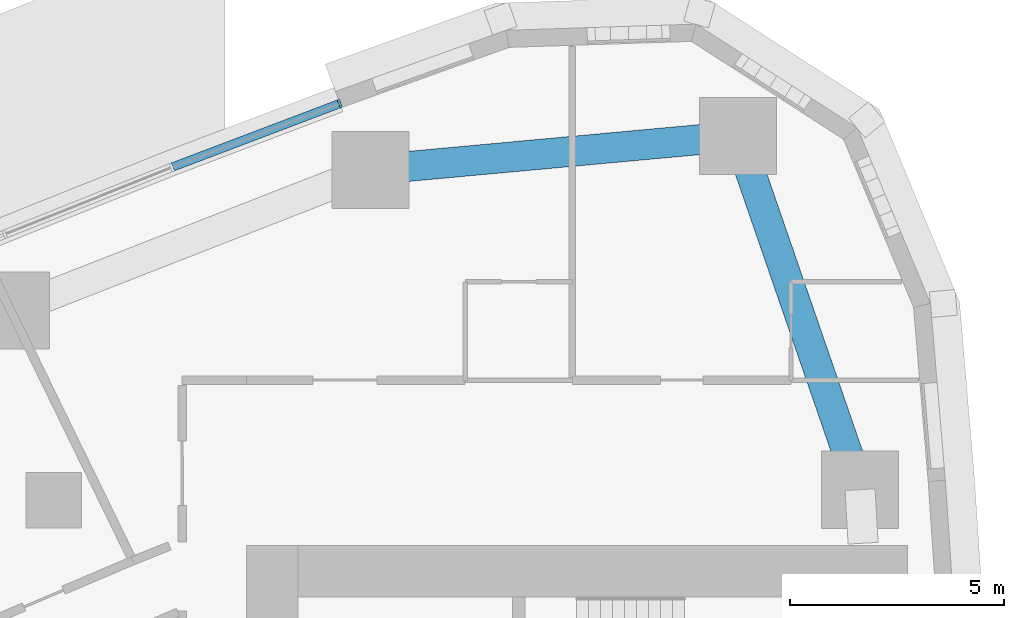
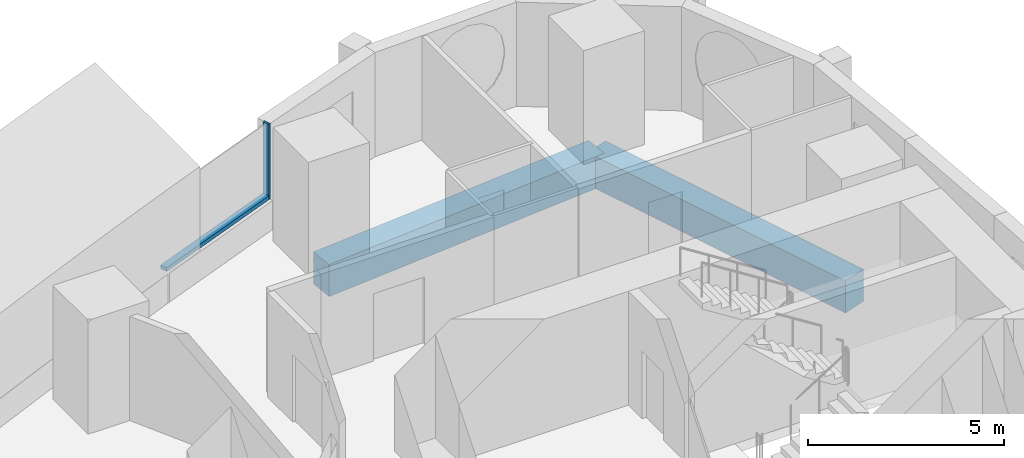
# One storey, part 7 of 19: 2 beams, 2 members, 1 element without a shape of its own.
"""IFC4 building model written with IfcOpenShell, lengths in metres."""

from ifc_helpers import new_model, si_unit, direction, frame, origin, origin_2d, place, context, subcontext, project, spatial, rectangle, extrude, material, layer, layer_set, material_profile, profile_set, type_object, element, aggregate, save


model = new_model("IFC4")

# Units and contexts
model_context = context("Model", 3, precision=1e-05, world=origin(), true_north=direction((0.0, 1.0)))
body_context = subcontext(model_context, "Body", "Model", "MODEL_VIEW")
ifc_project = project(units=[si_unit("LENGTHUNIT", "METRE"), si_unit("AREAUNIT", "SQUARE_METRE"), si_unit("VOLUMEUNIT", "CUBIC_METRE"), si_unit("PLANEANGLEUNIT", "RADIAN"), si_unit("MASSUNIT", "GRAM", prefix="KILO")], contexts=[model_context])

# Site, building, storey
site_placement = place(None, origin())
site = spatial("IfcSite", under=ifc_project, at=site_placement, CompositionType="ELEMENT")
building_placement = place(site_placement, origin())
building = spatial("IfcBuilding", under=site, at=building_placement, Name="Ostrand Prow Hotel Tower", CompositionType="ELEMENT")
storey_placement = place(building_placement, frame((0.0, 0.0, 46.699951171875)))
storey = spatial("IfcBuildingStorey", under=building, at=storey_placement, Name="L09", CompositionType="ELEMENT", Elevation=46.699951171875)

# Beams
ifc_material_1 = material(Name="Concrete C80/95", Category="concrete")
ifc_material_profile_1 = material_profile(ifc_material_1, rectangle(XDim=0.699951171875, YDim=1.0, at=origin_2d()), Name="RC 700x1000")
ifc_profile_set_1 = profile_set([ifc_material_profile_1], Name="Concrete C80/95")
beam_type = type_object("IfcBeamType", Name="Edge beam 700x1000 C80/95", PredefinedType="SPANDREL", material=ifc_profile_set_1)
beam_1_placement = place(storey_placement, frame((63.8134765625, 18.248779296875, -0.800048828125), z_axis=(-0.326263961413, 0.945278703602, 0.0), x_axis=(-0.945278703602, -0.326263961413, 0.0)))
element("IfcBeam", 1, at=beam_1_placement, inside=storey, type_object=beam_type, Name="Edge beam B5-NE", PredefinedType="SPANDREL", context=body_context, shape_type="SweptSolid", body=[
    extrude(rectangle(XDim=0.699951171875, YDim=1.0, at=origin_2d()), origin(), (0.0, 0.0, 1.0), 8.727294921875),
])
beam_2_placement = place(storey_placement, frame((60.966064453125, 26.49853515625, -0.800048828125), z_axis=(-0.995800189514, -0.091553167961, 0.0), x_axis=(0.091553167961, -0.995800189514, 0.0)))
element("IfcBeam", 2, at=beam_2_placement, inside=storey, type_object=beam_type, Name="Edge beam NE-N1", PredefinedType="SPANDREL", context=body_context, shape_type="SweptSolid", body=[
    extrude(rectangle(XDim=0.699951171875, YDim=1.0, at=origin_2d()), origin(), (0.0, 0.0, 1.0), 8.610595703125),
])

# Curtain wall, members
ifc_material_2 = material(Name="Insulated glass in bronze anodised frame", Category="glass")
ifc_layer = layer(ifc_material_2, 0.199951171875)
ifc_layer_set = layer_set([ifc_layer], Name="Insulated glass in bronze anodised frame")
curtain_wall_type = type_object("IfcCurtainWallType", Name="Strip curtain wall, fritted glass over bronze spandrel", PredefinedType="NOTDEFINED", material=ifc_layer_set)
curtain_wall_placement = place(storey_placement, origin())
curtain_wall = element("IfcCurtainWall", 3, at=curtain_wall_placement, inside=storey, type_object=curtain_wall_type, Name="CW1 run CWN1", PredefinedType="NOTDEFINED")
ifc_material_3 = material(Name="Bronze anodised aluminium", Category="aluminium")
ifc_material_profile_2 = material_profile(ifc_material_3, rectangle(XDim=0.199951171875, YDim=0.06005859375, at=origin_2d()), Name="Mullion 60x200 bronze anodised aluminium")
ifc_profile_set_2 = profile_set([ifc_material_profile_2], Name="Bronze anodised aluminium")
member_type_1 = type_object("IfcMemberType", Name="Mullion 60x200 bronze anodised aluminium", PredefinedType="MULLION", material=ifc_profile_set_2)
member_1_placement = place(storey_placement, frame((51.674560546875, 27.2578125, 0.900146484375), z_axis=(0.0, 0.0, 1.0), x_axis=(0.354728407072, -0.934969388384, 0.0)))
member_1 = element("IfcMember", 4, at=member_1_placement, type_object=member_type_1, Name="CW1 mullion 1", PredefinedType="MULLION", context=body_context, shape_type="SweptSolid", body=[
    extrude(rectangle(XDim=0.199951171875, YDim=0.06005859375, at=origin_2d()), origin(), (0.0, 0.0, 1.0), 2.349853515625),
])
ifc_material_4 = material(Name="Bronze anodised aluminium", Category="aluminium")
ifc_material_profile_3 = material_profile(ifc_material_4, rectangle(XDim=0.199951171875, YDim=0.1201171875, at=origin_2d()), Name="Transom 120x200 bronze anodised aluminium")
ifc_profile_set_3 = profile_set([ifc_material_profile_3], Name="Bronze anodised aluminium")
member_type_2 = type_object("IfcMemberType", Name="Transom 120x200 bronze anodised aluminium", PredefinedType="USERDEFINED", material=ifc_profile_set_3)
member_2_placement = place(storey_placement, frame((51.646484375, 27.2470703125, 0.9599609375), z_axis=(-0.93497051437, -0.354725439261, 0.0), x_axis=(0.354725439261, -0.93497051437, 0.0)))
member_2 = element("IfcMember", 5, at=member_2_placement, type_object=member_type_2, Name="CW1 transom 1.1", ObjectType="TRANSOM", PredefinedType="USERDEFINED", context=body_context, shape_type="SweptSolid", body=[
    extrude(rectangle(XDim=0.199951171875, YDim=0.1201171875, at=origin_2d()), origin(), (0.0, 0.0, 1.0), 4.13427734375),
])
aggregate(curtain_wall, [member_1, member_2])

save(model, "model.ifc")
